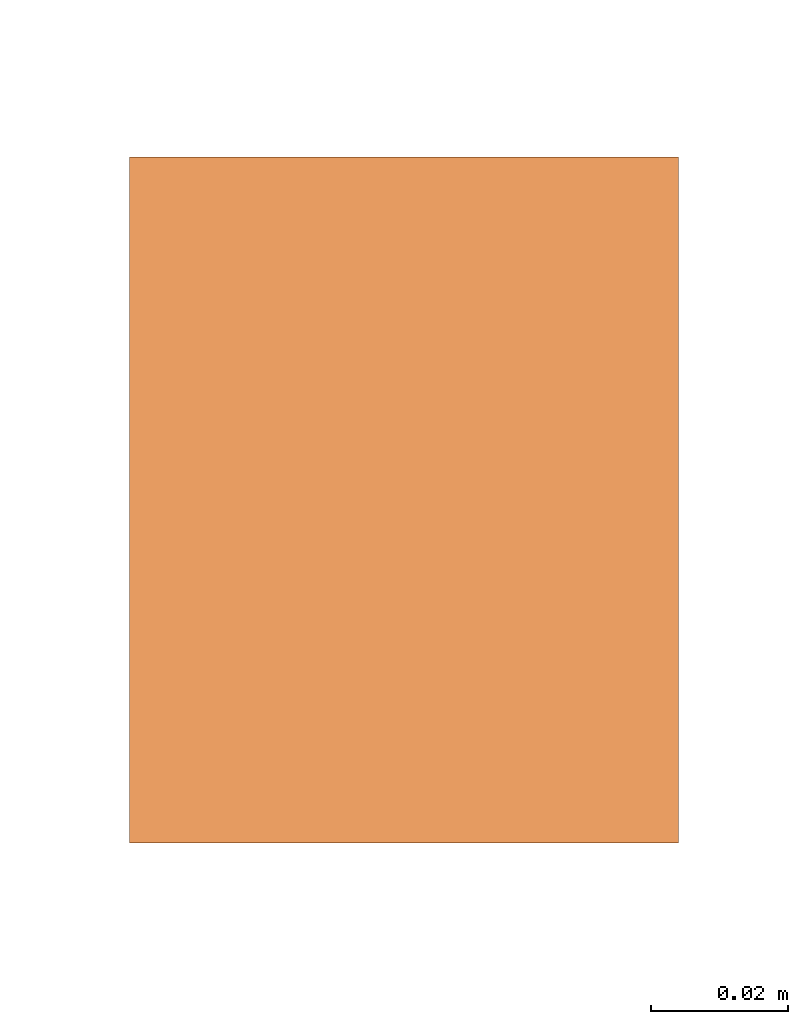
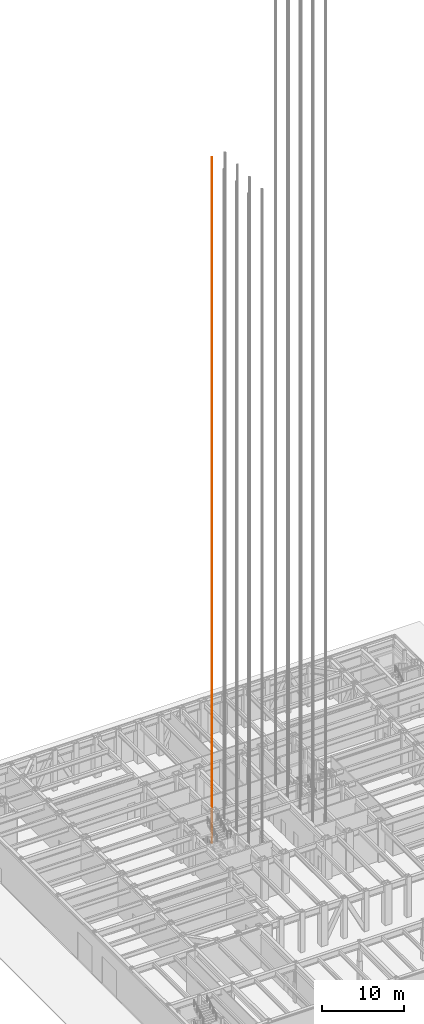
# One storey, part 26 of 35: 1 proxy.
"""IFC4 building model written with IfcOpenShell, lengths in metres."""

from ifc_helpers import new_model, si_unit, direction, frame, origin, origin_2d, place, context, subcontext, project, spatial, rectangle, extrude, material, type_object, element, save


model = new_model("IFC4")

# Units and contexts
model_context = context("Model", 3, precision=1e-05, world=origin(), true_north=direction((0.0, 1.0)))
body_context = subcontext(model_context, "Body", "Model", "MODEL_VIEW")
ifc_project = project(units=[si_unit("LENGTHUNIT", "METRE"), si_unit("AREAUNIT", "SQUARE_METRE"), si_unit("VOLUMEUNIT", "CUBIC_METRE"), si_unit("PLANEANGLEUNIT", "RADIAN"), si_unit("MASSUNIT", "GRAM", prefix="KILO")], contexts=[model_context])

# Site, building, storey
site_placement = place(None, origin())
site = spatial("IfcSite", under=ifc_project, at=site_placement, CompositionType="ELEMENT")
building_placement = place(site_placement, origin())
building = spatial("IfcBuilding", under=site, at=building_placement, Name="Chuquiago Exchange Tower", CompositionType="ELEMENT")
storey_placement = place(building_placement, origin())
storey = spatial("IfcBuildingStorey", under=building, at=storey_placement, Name="L00", CompositionType="ELEMENT", Elevation=0.0)

# Proxy
ifc_material = material(Name="Galvanised steel guide rail", Category="steel")
building_element_proxy_type = type_object("IfcBuildingElementProxyType", Name="LR lift guide rail", PredefinedType="NOTDEFINED", material=ifc_material)
proxy_placement = place(storey_placement, frame((17.06494140625, 25.5, 0.0), z_axis=(0.0, 0.0, 1.0), x_axis=(1.0, 0.0, 0.0)))
element("IfcBuildingElementProxy", 1, at=proxy_placement, inside=storey, type_object=building_element_proxy_type, Name="Lift LA4 guide rail W", PredefinedType="NOTDEFINED", context=body_context, shape_type="SweptSolid", body=[
    extrude(rectangle(XDim=0.080078125, YDim=0.10009765625, at=origin_2d()), origin(), (0.0, 0.0, 1.0), 102.300048828125),
])

save(model, "model.ifc")
